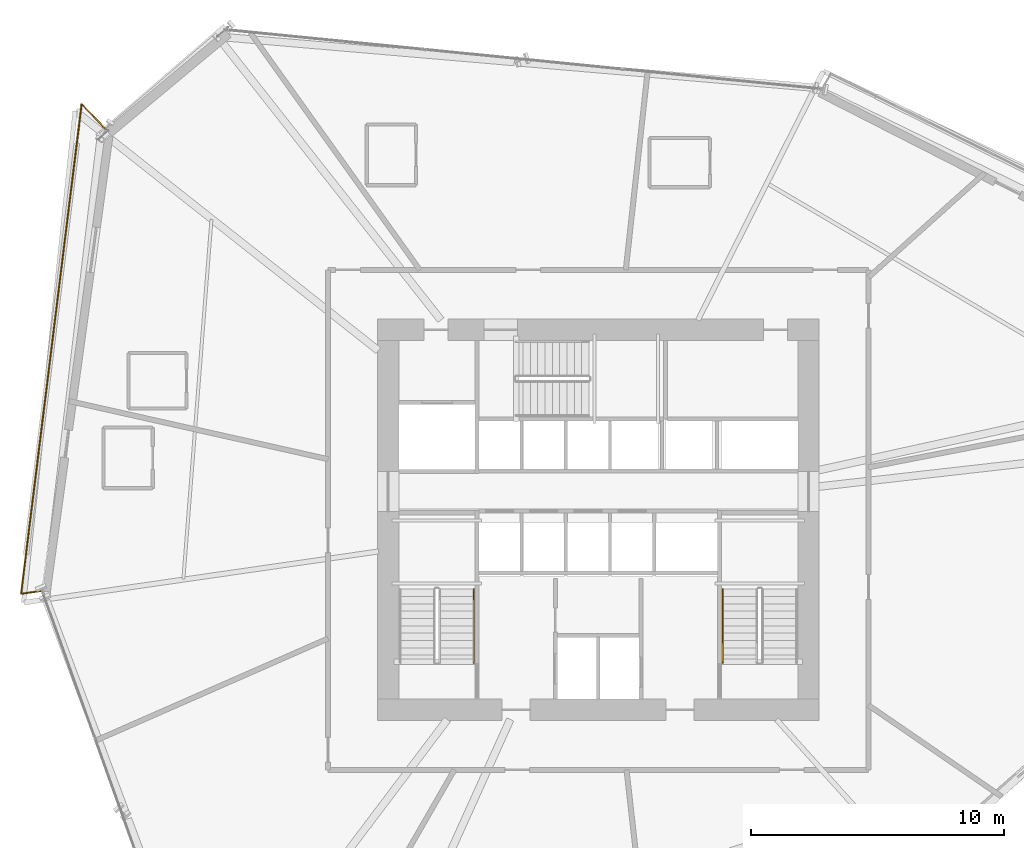
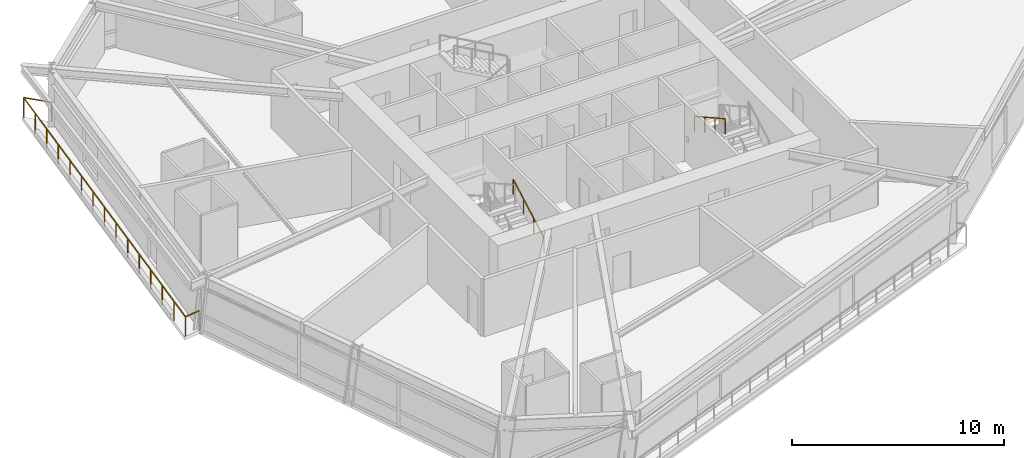
# One storey, part 22 of 24: 3 railings.
"""IFC4 building model written with IfcOpenShell, lengths in metres."""

from ifc_helpers import new_model, si_unit, direction, frame, origin, origin_2d, place, context, subcontext, project, spatial, rectangle, extrude, material, type_object, element, save


model = new_model("IFC4")

# Units and contexts
model_context = context("Model", 3, precision=1e-05, world=origin(), true_north=direction((0.0, 1.0)))
body_context = subcontext(model_context, "Body", "Model", "MODEL_VIEW")
ifc_project = project(units=[si_unit("LENGTHUNIT", "METRE"), si_unit("AREAUNIT", "SQUARE_METRE"), si_unit("VOLUMEUNIT", "CUBIC_METRE"), si_unit("PLANEANGLEUNIT", "RADIAN"), si_unit("MASSUNIT", "GRAM", prefix="KILO")], contexts=[model_context])

# Site, building, storey
site_placement = place(None, origin())
site = spatial("IfcSite", under=ifc_project, at=site_placement, CompositionType="ELEMENT")
building_placement = place(site_placement, origin())
building = spatial("IfcBuilding", under=site, at=building_placement, Name="Olszyna Solenne Hotel", CompositionType="ELEMENT")
storey_placement = place(building_placement, frame((0.0, 0.0, 64.800048828125)))
storey = spatial("IfcBuildingStorey", under=building, at=storey_placement, Name="L16", CompositionType="ELEMENT", Elevation=64.800048828125)

# Railings
ifc_material_1 = material(Name="Anodised bronze aluminium", Category="aluminium")
railing_type_1 = type_object("IfcRailingType", Name="GR-110", PredefinedType="BALUSTRADE", material=ifc_material_1)
railing_1_placement = place(storey_placement, frame((18.49658203125, 42.0673828125, 0.0)))
element("IfcRailing", 1, at=railing_1_placement, inside=storey, type_object=railing_type_1, Name="Loggia balcony balustrade guard GR-L16-LG2", PredefinedType="BALUSTRADE", context=body_context, shape_type="SweptSolid", body=[
    extrude(rectangle(XDim=0.048095703125, YDim=0.048095703125, at=origin_2d()), frame((0.0, 0.0, 1.1259765625), z_axis=(-0.691720810846, 0.722165022583, 0.0), x_axis=(-0.722165022583, -0.691720810846, 0.0)), (0.0, 0.0, 1.0), 1.37939453125),
    extrude(rectangle(XDim=0.048095703125, YDim=0.048095703125, at=origin_2d()), frame((-0.9541015625, 0.99609375, 1.1259765625), z_axis=(-0.122730616486, -0.992440021249, 0.0), x_axis=(0.992440021249, -0.122730616486, 0.0)), (0.0, 0.0, 1.0), 19.540283203125),
    extrude(rectangle(XDim=0.048095703125, YDim=0.048095703125, at=origin_2d()), frame((-3.352294921875, -18.396484375, 1.1259765625), z_axis=(0.991152137195, 0.132730708329, 0.0), x_axis=(-0.132730708329, 0.991152137195, 0.0)), (0.0, 0.0, 1.0), 0.84619140625),
    extrude(rectangle(XDim=0.0419921875, YDim=0.0419921875, at=origin_2d()), origin(), (0.0, 0.0, 1.0), 1.101806640625),
    extrude(rectangle(XDim=0.0419921875, YDim=0.0419921875, at=origin_2d()), frame((-0.9541015625, 0.99609375, 0.0)), (0.0, 0.0, 1.0), 1.101806640625),
    extrude(rectangle(XDim=0.0419921875, YDim=0.0419921875, at=origin_2d()), frame((-1.12548828125, -0.38916015625, 0.0)), (0.0, 0.0, 1.0), 1.101806640625),
    extrude(rectangle(XDim=0.0419921875, YDim=0.0419921875, at=origin_2d()), frame((-1.296630859375, -1.774169921875, 0.0)), (0.0, 0.0, 1.0), 1.101806640625),
    extrude(rectangle(XDim=0.0419921875, YDim=0.0419921875, at=origin_2d()), frame((-1.468017578125, -3.159423828125, 0.0)), (0.0, 0.0, 1.0), 1.101806640625),
    extrude(rectangle(XDim=0.0419921875, YDim=0.0419921875, at=origin_2d()), frame((-1.639404296875, -4.544677734375, 0.0)), (0.0, 0.0, 1.0), 1.101806640625),
    extrude(rectangle(XDim=0.0419921875, YDim=0.0419921875, at=origin_2d()), frame((-1.810546875, -5.929931640625, 0.0)), (0.0, 0.0, 1.0), 1.101806640625),
    extrude(rectangle(XDim=0.0419921875, YDim=0.0419921875, at=origin_2d()), frame((-1.98193359375, -7.31494140625, 0.0)), (0.0, 0.0, 1.0), 1.101806640625),
    extrude(rectangle(XDim=0.0419921875, YDim=0.0419921875, at=origin_2d()), frame((-2.1533203125, -8.7001953125, 0.0)), (0.0, 0.0, 1.0), 1.101806640625),
    extrude(rectangle(XDim=0.0419921875, YDim=0.0419921875, at=origin_2d()), frame((-2.324462890625, -10.08544921875, 0.0)), (0.0, 0.0, 1.0), 1.101806640625),
    extrude(rectangle(XDim=0.0419921875, YDim=0.0419921875, at=origin_2d()), frame((-2.495849609375, -11.470458984375, 0.0)), (0.0, 0.0, 1.0), 1.101806640625),
    extrude(rectangle(XDim=0.0419921875, YDim=0.0419921875, at=origin_2d()), frame((-2.6669921875, -12.855712890625, 0.0)), (0.0, 0.0, 1.0), 1.101806640625),
    extrude(rectangle(XDim=0.0419921875, YDim=0.0419921875, at=origin_2d()), frame((-2.83837890625, -14.240966796875, 0.0)), (0.0, 0.0, 1.0), 1.101806640625),
    extrude(rectangle(XDim=0.0419921875, YDim=0.0419921875, at=origin_2d()), frame((-3.009765625, -15.626220703125, 0.0)), (0.0, 0.0, 1.0), 1.101806640625),
    extrude(rectangle(XDim=0.0419921875, YDim=0.0419921875, at=origin_2d()), frame((-3.180908203125, -17.01123046875, 0.0)), (0.0, 0.0, 1.0), 1.101806640625),
    extrude(rectangle(XDim=0.0419921875, YDim=0.0419921875, at=origin_2d()), frame((-3.352294921875, -18.396484375, 0.0)), (0.0, 0.0, 1.0), 1.101806640625),
    extrude(rectangle(XDim=0.0419921875, YDim=0.0419921875, at=origin_2d()), frame((-2.513671875, -18.2841796875, 0.0)), (0.0, 0.0, 1.0), 1.101806640625),
])
ifc_material_2 = material(Name="Steel S355J2", Category="steel")
railing_type_2 = type_object("IfcRailingType", Name="HR-090", PredefinedType="HANDRAIL", material=ifc_material_2)
railing_2_placement = place(storey_placement, frame((33.070068359375, 20.949951171875, 0.161376953125)))
element("IfcRailing", 2, at=railing_2_placement, inside=storey, type_object=railing_type_2, Name="L16 ST1 stair handrail 1", PredefinedType="HANDRAIL", context=body_context, shape_type="SweptSolid", body=[
    extrude(rectangle(XDim=0.048095703125, YDim=0.048095703125, at=origin_2d()), frame((0.0, 0.0, 0.8759765625), z_axis=(0.0, 0.873858693841, 0.486179990537), x_axis=(-1.0, 0.0, 0.0)), (0.0, 0.0, 1.0), 3.31884765625),
    extrude(rectangle(XDim=0.0419921875, YDim=0.0419921875, at=origin_2d()), origin(), (0.0, 0.0, 1.0), 0.851806640625),
    extrude(rectangle(XDim=0.0419921875, YDim=0.0419921875, at=origin_2d()), frame((0.0, 0.966796875, 0.537841796875)), (0.0, 0.0, 1.0), 0.851806640625),
    extrude(rectangle(XDim=0.0419921875, YDim=0.0419921875, at=origin_2d()), frame((0.0, 1.933349609375, 1.07568359375)), (0.0, 0.0, 1.0), 0.851806640625),
    extrude(rectangle(XDim=0.0419921875, YDim=0.0419921875, at=origin_2d()), frame((0.0, 2.900146484375, 1.613525390625)), (0.0, 0.0, 1.0), 0.851806640625),
])
railing_3_placement = place(storey_placement, frame((42.929931640625, 23.85009765625, 1.936279296875)))
element("IfcRailing", 3, at=railing_3_placement, inside=storey, type_object=railing_type_2, Name="L16 ST2 stair handrail 2", PredefinedType="HANDRAIL", context=body_context, shape_type="SweptSolid", body=[
    extrude(rectangle(XDim=0.048095703125, YDim=0.048095703125, at=origin_2d()), frame((0.0, 0.0, 0.8759765625), z_axis=(0.0, -0.873827439584, 0.48623616261), x_axis=(1.0, 0.0, 0.0)), (0.0, 0.0, 1.0), 3.31884765625),
    extrude(rectangle(XDim=0.0419921875, YDim=0.0419921875, at=origin_2d()), origin(), (0.0, 0.0, 1.0), 0.851806640625),
    extrude(rectangle(XDim=0.0419921875, YDim=0.0419921875, at=origin_2d()), frame((0.0, -0.966796875, 0.537841796875)), (0.0, 0.0, 1.0), 0.851806640625),
    extrude(rectangle(XDim=0.0419921875, YDim=0.0419921875, at=origin_2d()), frame((0.0, -1.933349609375, 1.075927734375)), (0.0, 0.0, 1.0), 0.851806640625),
    extrude(rectangle(XDim=0.0419921875, YDim=0.0419921875, at=origin_2d()), frame((0.0, -2.900146484375, 1.61376953125)), (0.0, 0.0, 1.0), 0.851806640625),
])

save(model, "model.ifc")
